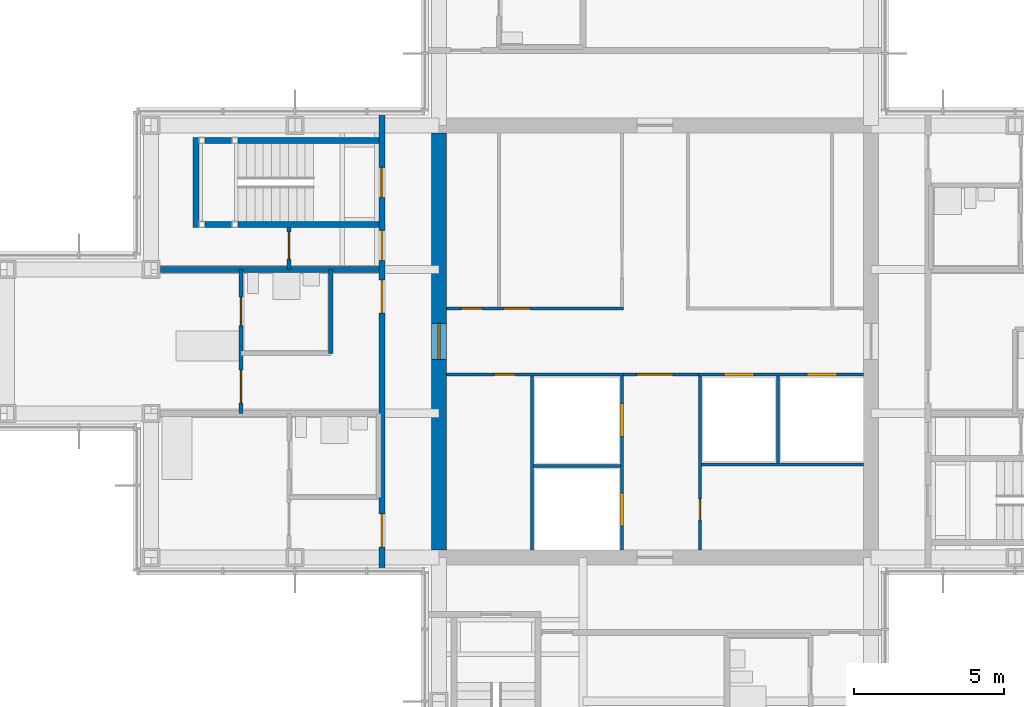
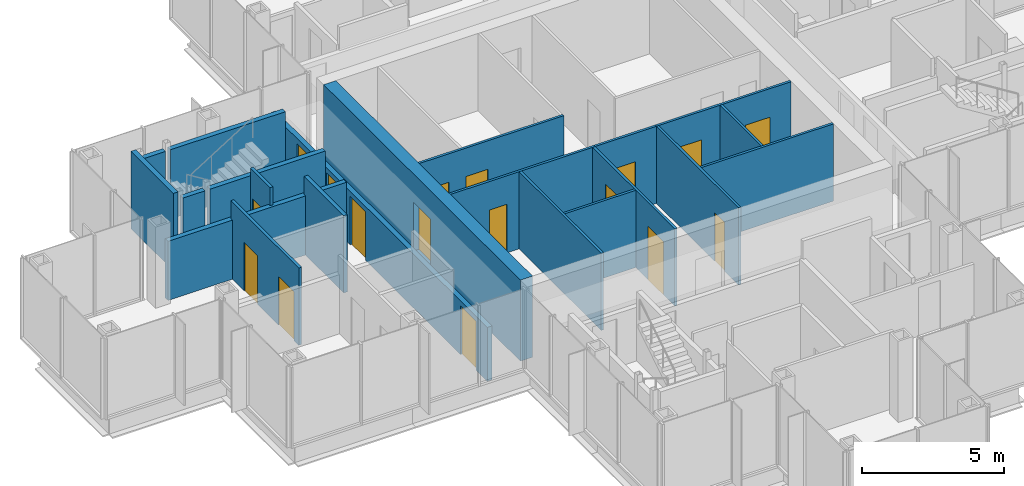
# One storey, part 12 of 17: 21 walls, 17 doors, 17 openings.
"""IFC4 building model written with IfcOpenShell, lengths in metres."""

from ifc_helpers import new_model, si_unit, direction, frame, frame_2d, origin, place, context, subcontext, project, spatial, rectangle, extrude, material, layer, layer_set, type_object, element, fill, save


model = new_model("IFC4")

# Units and contexts
model_context = context("Model", 3, precision=1e-05, world=origin(), true_north=direction((0.0, 1.0)))
body_context = subcontext(model_context, "Body", "Model", "MODEL_VIEW")
ifc_project = project(units=[si_unit("LENGTHUNIT", "METRE"), si_unit("AREAUNIT", "SQUARE_METRE"), si_unit("VOLUMEUNIT", "CUBIC_METRE"), si_unit("PLANEANGLEUNIT", "RADIAN"), si_unit("MASSUNIT", "GRAM", prefix="KILO")], contexts=[model_context])

# Site, building, storey
site_placement = place(None, origin())
site = spatial("IfcSite", under=ifc_project, at=site_placement, CompositionType="ELEMENT")
building_placement = place(site_placement, origin())
building = spatial("IfcBuilding", under=site, at=building_placement, Name="Kvirike Care Tower", CompositionType="ELEMENT")
storey_placement = place(building_placement, frame((0.0, 0.0, 172.5)))
storey = spatial("IfcBuildingStorey", under=building, at=storey_placement, Name="L47", CompositionType="ELEMENT", Elevation=172.5)

# Wall
ifc_material_1 = material(Name="Moisture-resistant board partition", Category="gypsum")
ifc_layer_1 = layer(ifc_material_1, 0.14990234375)
ifc_layer_set_1 = layer_set([ifc_layer_1], Name="BATHROOM WALL 150")
wall_type_1 = type_object("IfcWallType", Name="BATHROOM WALL 150", PredefinedType="PARTITIONING", material=ifc_layer_set_1)
wall_1_placement = place(storey_placement, frame((10.800048828125, 38.39990234375, 0.0), z_axis=(0.0, 0.0, 1.0), x_axis=(0.0, -1.0, 0.0)))
element("IfcWall", 1, at=wall_1_placement, inside=storey, type_object=wall_type_1, Name="Bathroom Wall 150 L47", PredefinedType="PARTITIONING", context=body_context, shape_type="SweptSolid", body=[
    extrude(rectangle(XDim=2.7998046875, YDim=0.14990234375, at=frame_2d((1.39990234375, 0.0))), origin(), (0.0, 0.0, 1.0), 3.330078125),
])

# Wall, opening, door
ifc_material_2 = material(Name="Concrete C45/55", Category="concrete")
ifc_layer_2 = layer(ifc_material_2, 0.5)
ifc_layer_set_2 = layer_set([ifc_layer_2], Name="CORE WALL 500 C45-55")
wall_type_2 = type_object("IfcWallType", Name="CORE WALL 500 C45-55", PredefinedType="SHEAR", material=ifc_layer_set_2)
wall_2_placement = place(storey_placement, frame((14.39990234375, 42.949951171875, -0.169921875), z_axis=(0.0, 0.0, 1.0), x_axis=(0.0, -1.0, 0.0)))
wall_2 = element("IfcWall", 2, at=wall_2_placement, inside=storey, type_object=wall_type_2, Name="Core wall W L47", PredefinedType="SHEAR", context=body_context, shape_type="SweptSolid", body=[
    extrude(rectangle(XDim=13.89990234375, YDim=0.5, at=frame_2d((6.949951171875, 0.0))), origin(), (0.0, 0.0, 1.0), 3.5),
])
opening_1_placement = place(wall_2_placement, frame((6.35009765625, 0.0, 0.169921875)))
opening_1 = element("IfcOpeningElement", 3, at=opening_1_placement, cuts=wall_2, Name="Opening 47-046", PredefinedType="OPENING", context=body_context, shape_type="SweptSolid", body=[
    extrude(rectangle(XDim=1.199951171875, YDim=2.10009765625, at=frame_2d((0.60009765625, 1.050048828125))), frame((0.0, 0.260498046875, 0.0), z_axis=(0.0, -1.0, 0.0), x_axis=(1.0, 0.0, 0.0)), (0.0, 0.0, 1.0), 0.52099609375),
])
ifc_material_3 = material(Name="Timber door set", Category="wood")
door_type_1 = type_object("IfcDoorType", Name="CORE DOOR 1200", OperationType="SINGLE_SWING_LEFT", PredefinedType="DOOR", material=ifc_material_3)
door_1_placement = place(opening_1_placement, origin())
door_1 = element("IfcDoor", 4, at=door_1_placement, inside=storey, type_object=door_type_1, Name="Core door W L47", OperationType="SINGLE_SWING_LEFT", OverallHeight=2.10009765625, OverallWidth=1.199951171875, PredefinedType="DOOR", context=body_context, shape_type="SweptSolid", body=[
    extrude(rectangle(XDim=1.199951171875, YDim=2.10009765625, at=frame_2d((0.60009765625, 1.050048828125))), frame((0.0, 0.02685546875, 0.0), z_axis=(0.0, -1.0, 0.0), x_axis=(1.0, 0.0, 0.0)), (0.0, 0.0, 1.0), 0.053955078125),
])
fill(opening_1, door_1)

# Wall, openings, doors
ifc_material_4 = material(Name="Plasterboard corridor wall", Category="gypsum")
ifc_layer_3 = layer(ifc_material_4, 0.199951171875)
ifc_layer_set_3 = layer_set([ifc_layer_3], Name="CORRIDOR WALL 200")
wall_type_3 = type_object("IfcWallType", Name="CORRIDOR WALL 200", PredefinedType="PARTITIONING", material=ifc_layer_set_3)
wall_3_placement = place(storey_placement, frame((12.5, 43.64990234375, 0.0), z_axis=(0.0, 0.0, 1.0), x_axis=(0.0, -1.0, 0.0)))
wall_3 = element("IfcWall", 5, at=wall_3_placement, inside=storey, type_object=wall_type_3, Name="Corridor Wall 200 L47", PredefinedType="PARTITIONING", context=body_context, shape_type="SweptSolid", body=[
    extrude(rectangle(XDim=15.2998046875, YDim=0.199951171875, at=frame_2d((7.64990234375, 0.0))), origin(), (0.0, 0.0, 1.0), 2.320068359375),
])
opening_2_placement = place(wall_3_placement, frame((1.85009765625, 0.0, 0.0)))
opening_2 = element("IfcOpeningElement", 6, at=opening_2_placement, cuts=wall_3, Name="Opening 47-006", PredefinedType="OPENING", context=body_context, shape_type="SweptSolid", body=[
    extrude(rectangle(XDim=1.0, YDim=2.10009765625, at=frame_2d((0.5, 1.050048828125))), frame((0.0, 0.110595703125, 0.0), z_axis=(0.0, -1.0, 0.0), x_axis=(1.0, 0.0, 0.0)), (0.0, 0.0, 1.0), 0.220947265625),
])
opening_3_placement = place(wall_3_placement, frame((3.949951171875, 0.0, 0.0)))
opening_3 = element("IfcOpeningElement", 7, at=opening_3_placement, cuts=wall_3, Name="Opening 47-007", PredefinedType="OPENING", context=body_context, shape_type="SweptSolid", body=[
    extrude(rectangle(XDim=1.0, YDim=2.10009765625, at=frame_2d((0.5, 1.050048828125))), frame((0.0, 0.110595703125, 0.0), z_axis=(0.0, -1.0, 0.0), x_axis=(1.0, 0.0, 0.0)), (0.0, 0.0, 1.0), 0.220947265625),
])
opening_4_placement = place(wall_3_placement, frame((5.60009765625, 0.0, 0.0)))
opening_4 = element("IfcOpeningElement", 8, at=opening_4_placement, cuts=wall_3, Name="Opening 47-008", PredefinedType="OPENING", context=body_context, shape_type="SweptSolid", body=[
    extrude(rectangle(XDim=1.10009765625, YDim=2.10009765625, at=frame_2d((0.550048828125, 1.050048828125))), frame((0.0, 0.110595703125, 0.0), z_axis=(0.0, -1.0, 0.0), x_axis=(1.0, 0.0, 0.0)), (0.0, 0.0, 1.0), 0.220947265625),
])
opening_5_placement = place(wall_3_placement, frame((13.39990234375, 0.0, 0.0)))
opening_5 = element("IfcOpeningElement", 9, at=opening_5_placement, cuts=wall_3, Name="Opening 47-009", PredefinedType="OPENING", context=body_context, shape_type="SweptSolid", body=[
    extrude(rectangle(XDim=1.10009765625, YDim=2.10009765625, at=frame_2d((0.550048828125, 1.050048828125))), frame((0.0, 0.110595703125, 0.0), z_axis=(0.0, -1.0, 0.0), x_axis=(1.0, 0.0, 0.0)), (0.0, 0.0, 1.0), 0.220947265625),
])
ifc_material_5 = material(Name="Timber door set", Category="wood")
door_type_2 = type_object("IfcDoorType", Name="BEDROOM ENTRANCE DOOR 1100", OperationType="SINGLE_SWING_LEFT", PredefinedType="DOOR", material=ifc_material_5)
door_2_placement = place(opening_4_placement, frame((1.10009765625, 0.0, 0.0), z_axis=(0.0, 0.0, 1.0), x_axis=(-1.0, 0.0, 0.0)))
door_2 = element("IfcDoor", 10, at=door_2_placement, inside=storey, type_object=door_type_2, Name="Memory care bedroom entrance", OperationType="SINGLE_SWING_LEFT", OverallHeight=2.10009765625, OverallWidth=1.10009765625, PredefinedType="DOOR", context=body_context, shape_type="SweptSolid", body=[
    extrude(rectangle(XDim=1.10009765625, YDim=2.10009765625, at=frame_2d((0.550048828125, 1.050048828125))), frame((0.0, 0.02685546875, 0.0), z_axis=(0.0, -1.0, 0.0), x_axis=(1.0, 0.0, 0.0)), (0.0, 0.0, 1.0), 0.053955078125),
])
fill(opening_4, door_2)
door_3_placement = place(opening_5_placement, frame((1.10009765625, 0.0, 0.0), z_axis=(0.0, 0.0, 1.0), x_axis=(-1.0, 0.0, 0.0)))
door_3 = element("IfcDoor", 11, at=door_3_placement, inside=storey, type_object=door_type_2, Name="Memory care bedroom entrance", OperationType="SINGLE_SWING_RIGHT", OverallHeight=2.10009765625, OverallWidth=1.10009765625, PredefinedType="DOOR", context=body_context, shape_type="SweptSolid", body=[
    extrude(rectangle(XDim=1.10009765625, YDim=2.10009765625, at=frame_2d((0.550048828125, 1.050048828125))), frame((0.0, 0.02685546875, 0.0), z_axis=(0.0, -1.0, 0.0), x_axis=(1.0, 0.0, 0.0)), (0.0, 0.0, 1.0), 0.053955078125),
])
fill(opening_5, door_3)
ifc_material_6 = material(Name="Timber door set", Category="wood")
door_type_3 = type_object("IfcDoorType", Name="FLAT ENTRANCE DOOR 1000", OperationType="SINGLE_SWING_LEFT", PredefinedType="DOOR", material=ifc_material_6)
door_4_placement = place(opening_3_placement, frame((1.0, 0.0, 0.0), z_axis=(0.0, 0.0, 1.0), x_axis=(-1.0, 0.0, 0.0)))
door_4 = element("IfcDoor", 12, at=door_4_placement, inside=storey, type_object=door_type_3, Name="Activity room entrance", OperationType="SINGLE_SWING_LEFT", OverallHeight=2.10009765625, OverallWidth=1.0, PredefinedType="DOOR", context=body_context, shape_type="SweptSolid", body=[
    extrude(rectangle(XDim=1.0, YDim=2.10009765625, at=frame_2d((0.5, 1.050048828125))), frame((0.0, 0.02685546875, 0.0), z_axis=(0.0, -1.0, 0.0), x_axis=(1.0, 0.0, 0.0)), (0.0, 0.0, 1.0), 0.053955078125),
])
fill(opening_3, door_4)
ifc_material_7 = material(Name="Timber door set", Category="wood")
door_type_4 = type_object("IfcDoorType", Name="STAIR DOOR 1000", OperationType="SINGLE_SWING_LEFT", PredefinedType="DOOR", material=ifc_material_7)
door_5_placement = place(opening_2_placement, frame((1.0, 0.0, 0.0), z_axis=(0.0, 0.0, 1.0), x_axis=(-1.0, 0.0, 0.0)))
door_5 = element("IfcDoor", 13, at=door_5_placement, inside=storey, type_object=door_type_4, Name="Stair 1 door", OperationType="SINGLE_SWING_LEFT", OverallHeight=2.10009765625, OverallWidth=1.0, PredefinedType="DOOR", context=body_context, shape_type="SweptSolid", body=[
    extrude(rectangle(XDim=1.0, YDim=2.10009765625, at=frame_2d((0.5, 1.050048828125))), frame((0.0, 0.031982421875, 0.0), z_axis=(0.0, -1.0, 0.0), x_axis=(1.0, 0.0, 0.0)), (0.0, 0.0, 1.0), 0.06396484375),
])
fill(opening_2, door_5)

# Wall, opening, door
ifc_material_8 = material(Name="Plasterboard partition", Category="gypsum")
ifc_layer_4 = layer(ifc_material_8, 0.1201171875)
ifc_layer_set_4 = layer_set([ifc_layer_4], Name="PARTITION 120")
wall_type_4 = type_object("IfcWallType", Name="PARTITION 120", PredefinedType="PARTITIONING", material=ifc_layer_set_4)
wall_4_placement = place(storey_placement, frame((9.39990234375, 39.800048828125, 0.0), z_axis=(0.0, 0.0, 1.0), x_axis=(0.0, -1.0, 0.0)))
wall_4 = element("IfcWall", 14, at=wall_4_placement, inside=storey, type_object=wall_type_4, Name="Partition 120 L47", PredefinedType="PARTITIONING", context=body_context, shape_type="SweptSolid", body=[
    extrude(rectangle(XDim=1.400146484375, YDim=0.1201171875, at=frame_2d((0.7001953125, 0.0))), origin(), (0.0, 0.0, 1.0), 3.330078125),
])
opening_6_placement = place(wall_4_placement, frame((0.14990234375, 0.0, 0.0)))
opening_6 = element("IfcOpeningElement", 15, at=opening_6_placement, cuts=wall_4, Name="Opening 47-001", PredefinedType="OPENING", context=body_context, shape_type="SweptSolid", body=[
    extrude(rectangle(XDim=0.89990234375, YDim=2.10009765625, at=frame_2d((0.449951171875, 1.050048828125))), frame((0.0, 0.070556640625, 0.0), z_axis=(0.0, -1.0, 0.0), x_axis=(1.0, 0.0, 0.0)), (0.0, 0.0, 1.0), 0.14111328125),
])
ifc_material_9 = material(Name="Timber door set", Category="wood")
door_type_5 = type_object("IfcDoorType", Name="INTERNAL DOOR 900", OperationType="SINGLE_SWING_LEFT", PredefinedType="DOOR", material=ifc_material_9)
door_6_placement = place(opening_6_placement, origin())
door_6 = element("IfcDoor", 16, at=door_6_placement, inside=storey, type_object=door_type_5, Name="Activity room door", OperationType="SINGLE_SWING_RIGHT", OverallHeight=2.10009765625, OverallWidth=0.89990234375, PredefinedType="DOOR", context=body_context, shape_type="SweptSolid", body=[
    extrude(rectangle(XDim=0.89990234375, YDim=2.10009765625, at=frame_2d((0.449951171875, 1.050048828125))), frame((0.0, 0.02197265625, 0.0), z_axis=(0.0, -1.0, 0.0), x_axis=(1.0, 0.0, 0.0)), (0.0, 0.0, 1.0), 0.0439453125),
])
fill(opening_6, door_6)

# Wall, openings, doors
wall_5_placement = place(storey_placement, frame((7.800048828125, 38.39990234375, 0.0), z_axis=(0.0, 0.0, 1.0), x_axis=(0.0, -1.0, 0.0)))
wall_5 = element("IfcWall", 17, at=wall_5_placement, inside=storey, type_object=wall_type_4, Name="Partition 120 L47", PredefinedType="PARTITIONING", context=body_context, shape_type="SweptSolid", body=[
    extrude(rectangle(XDim=4.7998046875, YDim=0.1201171875, at=frame_2d((2.39990234375, 0.0))), origin(), (0.0, 0.0, 1.0), 3.330078125),
])
opening_7_placement = place(wall_5_placement, frame((3.35009765625, 0.0, 0.0)))
opening_7 = element("IfcOpeningElement", 18, at=opening_7_placement, cuts=wall_5, Name="Opening 47-002", PredefinedType="OPENING", context=body_context, shape_type="SweptSolid", body=[
    extrude(rectangle(XDim=1.10009765625, YDim=2.10009765625, at=frame_2d((0.550048828125, 1.050048828125))), frame((0.0, 0.070556640625, 0.0), z_axis=(0.0, -1.0, 0.0), x_axis=(1.0, 0.0, 0.0)), (0.0, 0.0, 1.0), 0.14111328125),
])
opening_8_placement = place(wall_5_placement, frame((0.925048828125, 0.0, 0.0)))
opening_8 = element("IfcOpeningElement", 19, at=opening_8_placement, cuts=wall_5, Name="Opening 47-003", PredefinedType="OPENING", context=body_context, shape_type="SweptSolid", body=[
    extrude(rectangle(XDim=0.949951171875, YDim=2.10009765625, at=frame_2d((0.47509765625, 1.050048828125))), frame((0.0, 0.070556640625, 0.0), z_axis=(0.0, -1.0, 0.0), x_axis=(1.0, 0.0, 0.0)), (0.0, 0.0, 1.0), 0.14111328125),
])
ifc_material_10 = material(Name="Timber door set", Category="wood")
door_type_6 = type_object("IfcDoorType", Name="BEDROOM DOOR 1100", OperationType="SINGLE_SWING_LEFT", PredefinedType="DOOR", material=ifc_material_10)
door_7_placement = place(opening_7_placement, origin())
door_7 = element("IfcDoor", 20, at=door_7_placement, inside=storey, type_object=door_type_6, Name="Memory care bedroom door", OperationType="SINGLE_SWING_LEFT", OverallHeight=2.10009765625, OverallWidth=1.10009765625, PredefinedType="DOOR", context=body_context, shape_type="SweptSolid", body=[
    extrude(rectangle(XDim=1.10009765625, YDim=2.10009765625, at=frame_2d((0.550048828125, 1.050048828125))), frame((0.0, 0.02197265625, 0.0), z_axis=(0.0, -1.0, 0.0), x_axis=(1.0, 0.0, 0.0)), (0.0, 0.0, 1.0), 0.0439453125),
])
fill(opening_7, door_7)
ifc_material_11 = material(Name="Timber door set", Category="wood")
door_type_7 = type_object("IfcDoorType", Name="EN-SUITE SLIDING DOOR 950", OperationType="SLIDING_TO_LEFT", PredefinedType="DOOR", material=ifc_material_11)
door_8_placement = place(opening_8_placement, origin())
door_8 = element("IfcDoor", 21, at=door_8_placement, inside=storey, type_object=door_type_7, Name="En-suite door", OperationType="SLIDING_TO_LEFT", OverallHeight=2.10009765625, OverallWidth=0.949951171875, PredefinedType="DOOR", context=body_context, shape_type="SweptSolid", body=[
    extrude(rectangle(XDim=0.949951171875, YDim=2.10009765625, at=frame_2d((0.47509765625, 1.050048828125))), frame((0.0, 0.02197265625, 0.0), z_axis=(0.0, -1.0, 0.0), x_axis=(1.0, 0.0, 0.0)), (0.0, 0.0, 1.0), 0.0439453125),
])
fill(opening_8, door_8)

# Wall
ifc_material_12 = material(Name="Plasterboard party wall", Category="gypsum")
ifc_layer_5 = layer(ifc_material_12, 0.199951171875)
ifc_layer_set_5 = layer_set([ifc_layer_5], Name="PARTY WALL 200")
wall_type_5 = type_object("IfcWallType", Name="PARTY WALL 200", PredefinedType="PARTITIONING", material=ifc_layer_set_5)
wall_6_placement = place(storey_placement, frame((5.1201171875, 38.39990234375, 0.0), z_axis=(0.0, 0.0, 1.0), x_axis=(1.0, 0.0, 0.0)))
element("IfcWall", 22, at=wall_6_placement, inside=storey, type_object=wall_type_5, Name="Party Wall 200 L47", PredefinedType="PARTITIONING", context=body_context, shape_type="SweptSolid", body=[
    extrude(rectangle(XDim=7.27978515625, YDim=0.199951171875, at=frame_2d((3.639892578125, 0.0))), origin(), (0.0, 0.0, 1.0), 2.550048828125),
])

# Wall, openings, doors
ifc_material_13 = material(Name="Gypsum shaft wall system", Category="gypsum")
ifc_layer_6 = layer(ifc_material_13, 0.10009765625)
ifc_layer_set_6 = layer_set([ifc_layer_6], Name="SHAFT WALL 100")
wall_type_6 = type_object("IfcWallType", Name="SHAFT WALL 100", PredefinedType="SOLIDWALL", material=ifc_layer_set_6)
wall_7_placement = place(storey_placement, frame((20.5, 29.050048828125, 0.0), z_axis=(0.0, 0.0, 1.0), x_axis=(0.0, 1.0, 0.0)))
wall_7 = element("IfcWall", 23, at=wall_7_placement, inside=storey, type_object=wall_type_6, Name="Shaft Wall 100 L47", PredefinedType="SOLIDWALL", context=body_context, shape_type="SweptSolid", body=[
    extrude(rectangle(XDim=5.800048828125, YDim=0.10009765625, at=frame_2d((2.89990234375, 0.0))), origin(), (0.0, 0.0, 1.0), 3.330078125),
])
opening_9_placement = place(wall_7_placement, frame((0.800048828125, 0.0, 0.0)))
opening_9 = element("IfcOpeningElement", 24, at=opening_9_placement, cuts=wall_7, Name="Opening 47-032", PredefinedType="OPENING", context=body_context, shape_type="SweptSolid", body=[
    extrude(rectangle(XDim=1.10009765625, YDim=2.300048828125, at=frame_2d((0.550048828125, 1.14990234375))), frame((0.0, 0.060546875, 0.0), z_axis=(0.0, -1.0, 0.0), x_axis=(1.0, 0.0, 0.0)), (0.0, 0.0, 1.0), 0.12109375),
])
opening_10_placement = place(wall_7_placement, frame((3.77490234375, 0.0, 0.0)))
opening_10 = element("IfcOpeningElement", 25, at=opening_10_placement, cuts=wall_7, Name="Opening 47-033", PredefinedType="OPENING", context=body_context, shape_type="SweptSolid", body=[
    extrude(rectangle(XDim=1.10009765625, YDim=2.300048828125, at=frame_2d((0.550048828125, 1.14990234375))), frame((0.0, 0.060546875, 0.0), z_axis=(0.0, -1.0, 0.0), x_axis=(1.0, 0.0, 0.0)), (0.0, 0.0, 1.0), 0.12109375),
])
ifc_material_14 = material(Name="Aluminium door frame", Category="aluminium")
door_type_8 = type_object("IfcDoorType", Name="FIRE-FIGHTING LIFT LANDING DOOR 1100", OperationType="SLIDING_TO_LEFT", PredefinedType="DOOR", material=ifc_material_14)
door_9_placement = place(opening_9_placement, origin())
door_9 = element("IfcDoor", 26, at=door_9_placement, inside=storey, type_object=door_type_8, Name="Lift FF1 landing door", OperationType="SLIDING_TO_LEFT", OverallHeight=2.300048828125, OverallWidth=1.10009765625, PredefinedType="DOOR", context=body_context, shape_type="SweptSolid", body=[
    extrude(rectangle(XDim=1.10009765625, YDim=2.300048828125, at=frame_2d((0.550048828125, 1.14990234375))), frame((0.0, 0.0498046875, 0.0), z_axis=(0.0, -1.0, 0.0), x_axis=(1.0, 0.0, 0.0)), (0.0, 0.0, 1.0), 0.099609375),
])
fill(opening_9, door_9)
door_10_placement = place(opening_10_placement, origin())
door_10 = element("IfcDoor", 27, at=door_10_placement, inside=storey, type_object=door_type_8, Name="Lift FF2 landing door", OperationType="SLIDING_TO_LEFT", OverallHeight=2.300048828125, OverallWidth=1.10009765625, PredefinedType="DOOR", context=body_context, shape_type="SweptSolid", body=[
    extrude(rectangle(XDim=1.10009765625, YDim=2.300048828125, at=frame_2d((0.550048828125, 1.14990234375))), frame((0.0, 0.0498046875, 0.0), z_axis=(0.0, -1.0, 0.0), x_axis=(1.0, 0.0, 0.0)), (0.0, 0.0, 1.0), 0.099609375),
])
fill(opening_10, door_10)

# Wall, opening, door
wall_8_placement = place(storey_placement, frame((23.10009765625, 29.050048828125, 0.0), z_axis=(0.0, 0.0, 1.0), x_axis=(0.0, 1.0, 0.0)))
wall_8 = element("IfcWall", 28, at=wall_8_placement, inside=storey, type_object=wall_type_6, Name="Shaft Wall 100 L47", PredefinedType="SOLIDWALL", context=body_context, shape_type="SweptSolid", body=[
    extrude(rectangle(XDim=5.800048828125, YDim=0.10009765625, at=frame_2d((2.89990234375, 0.0))), origin(), (0.0, 0.0, 1.0), 3.330078125),
])
opening_11_placement = place(wall_8_placement, frame((1.0, 0.0, 0.0)))
opening_11 = element("IfcOpeningElement", 29, at=opening_11_placement, cuts=wall_8, Name="Opening 47-036", PredefinedType="OPENING", context=body_context, shape_type="SweptSolid", body=[
    extrude(rectangle(XDim=0.699951171875, YDim=2.10009765625, at=frame_2d((0.35009765625, 1.050048828125))), frame((0.0, 0.060546875, 0.0), z_axis=(0.0, -1.0, 0.0), x_axis=(1.0, 0.0, 0.0)), (0.0, 0.0, 1.0), 0.12109375),
])
ifc_material_15 = material(Name="Timber door set", Category="wood")
door_type_9 = type_object("IfcDoorType", Name="RISER DOOR 700", OperationType="SINGLE_SWING_LEFT", PredefinedType="DOOR", material=ifc_material_15)
door_11_placement = place(opening_11_placement, origin())
door_11 = element("IfcDoor", 30, at=door_11_placement, inside=storey, type_object=door_type_9, Name="Riser door", OperationType="SINGLE_SWING_RIGHT", OverallHeight=2.10009765625, OverallWidth=0.699951171875, PredefinedType="DOOR", context=body_context, shape_type="SweptSolid", body=[
    extrude(rectangle(XDim=0.699951171875, YDim=2.10009765625, at=frame_2d((0.35009765625, 1.050048828125))), frame((0.0, 0.02685546875, 0.0), z_axis=(0.0, -1.0, 0.0), x_axis=(1.0, 0.0, 0.0)), (0.0, 0.0, 1.0), 0.053955078125),
])
fill(opening_11, door_11)

wall_9_placement = place(storey_placement, frame((14.64990234375, 34.89990234375, 0.0), z_axis=(0.0, 0.0, 1.0), x_axis=(1.0, 0.0, 0.0)))
wall_9 = element("IfcWall", 31, at=wall_9_placement, inside=storey, type_object=wall_type_6, Name="Shaft Wall 100 L47", PredefinedType="SOLIDWALL", context=body_context, shape_type="SweptSolid", body=[
    extrude(rectangle(XDim=5.900146484375, YDim=0.10009765625, at=frame_2d((2.9501953125, 0.0))), origin(), (0.0, 0.0, 1.0), 3.330078125),
])
opening_12_placement = place(wall_9_placement, frame((1.60009765625, 0.0, 0.0)))
opening_12 = element("IfcOpeningElement", 32, at=opening_12_placement, cuts=wall_9, Name="Opening 47-037", PredefinedType="OPENING", context=body_context, shape_type="SweptSolid", body=[
    extrude(rectangle(XDim=0.699951171875, YDim=2.10009765625, at=frame_2d((0.35009765625, 1.050048828125))), frame((0.0, 0.060546875, 0.0), z_axis=(0.0, -1.0, 0.0), x_axis=(1.0, 0.0, 0.0)), (0.0, 0.0, 1.0), 0.12109375),
])
door_12_placement = place(opening_12_placement, frame((0.699951171875, 0.0, 0.0), z_axis=(0.0, 0.0, 1.0), x_axis=(-1.0, 0.0, 0.0)))
door_12 = element("IfcDoor", 33, at=door_12_placement, inside=storey, type_object=door_type_9, Name="Riser door", OperationType="SINGLE_SWING_RIGHT", OverallHeight=2.10009765625, OverallWidth=0.699951171875, PredefinedType="DOOR", context=body_context, shape_type="SweptSolid", body=[
    extrude(rectangle(XDim=0.699951171875, YDim=2.10009765625, at=frame_2d((0.35009765625, 1.050048828125))), frame((0.0, 0.02685546875, 0.0), z_axis=(0.0, -1.0, 0.0), x_axis=(1.0, 0.0, 0.0)), (0.0, 0.0, 1.0), 0.053955078125),
])
fill(opening_12, door_12)

# Wall, openings, doors
wall_10_placement = place(storey_placement, frame((23.050048828125, 34.89990234375, 0.0), z_axis=(0.0, 0.0, 1.0), x_axis=(1.0, 0.0, 0.0)))
wall_10 = element("IfcWall", 34, at=wall_10_placement, inside=storey, type_object=wall_type_6, Name="Shaft Wall 100 L47", PredefinedType="SOLIDWALL", context=body_context, shape_type="SweptSolid", body=[
    extrude(rectangle(XDim=5.5, YDim=0.10009765625, at=frame_2d((2.75, 0.0))), origin(), (0.0, 0.0, 1.0), 3.330078125),
])
opening_13_placement = place(wall_10_placement, frame((0.85009765625, 0.0, 0.0)))
opening_13 = element("IfcOpeningElement", 35, at=opening_13_placement, cuts=wall_10, Name="Opening 47-038", PredefinedType="OPENING", context=body_context, shape_type="SweptSolid", body=[
    extrude(rectangle(XDim=1.0, YDim=2.10009765625, at=frame_2d((0.5, 1.050048828125))), frame((0.0, 0.060546875, 0.0), z_axis=(0.0, -1.0, 0.0), x_axis=(1.0, 0.0, 0.0)), (0.0, 0.0, 1.0), 0.12109375),
])
opening_14_placement = place(wall_10_placement, frame((3.625, 0.0, 0.0)))
opening_14 = element("IfcOpeningElement", 36, at=opening_14_placement, cuts=wall_10, Name="Opening 47-039", PredefinedType="OPENING", context=body_context, shape_type="SweptSolid", body=[
    extrude(rectangle(XDim=1.0, YDim=2.10009765625, at=frame_2d((0.5, 1.050048828125))), frame((0.0, 0.060546875, 0.0), z_axis=(0.0, -1.0, 0.0), x_axis=(1.0, 0.0, 0.0)), (0.0, 0.0, 1.0), 0.12109375),
])
ifc_material_16 = material(Name="Aluminium door frame", Category="aluminium")
door_type_10 = type_object("IfcDoorType", Name="LIFT LANDING DOOR 1000", OperationType="SLIDING_TO_LEFT", PredefinedType="DOOR", material=ifc_material_16)
door_13_placement = place(opening_13_placement, origin())
door_13 = element("IfcDoor", 37, at=door_13_placement, inside=storey, type_object=door_type_10, Name="Lift P5 landing door", OperationType="SLIDING_TO_LEFT", OverallHeight=2.10009765625, OverallWidth=1.0, PredefinedType="DOOR", context=body_context, shape_type="SweptSolid", body=[
    extrude(rectangle(XDim=1.0, YDim=2.10009765625, at=frame_2d((0.5, 1.050048828125))), frame((0.0, 0.0498046875, 0.0), z_axis=(0.0, -1.0, 0.0), x_axis=(1.0, 0.0, 0.0)), (0.0, 0.0, 1.0), 0.099609375),
])
fill(opening_13, door_13)
door_14_placement = place(opening_14_placement, origin())
door_14 = element("IfcDoor", 38, at=door_14_placement, inside=storey, type_object=door_type_10, Name="Lift P6 landing door", OperationType="SLIDING_TO_LEFT", OverallHeight=2.10009765625, OverallWidth=1.0, PredefinedType="DOOR", context=body_context, shape_type="SweptSolid", body=[
    extrude(rectangle(XDim=1.0, YDim=2.10009765625, at=frame_2d((0.5, 1.050048828125))), frame((0.0, 0.0498046875, 0.0), z_axis=(0.0, -1.0, 0.0), x_axis=(1.0, 0.0, 0.0)), (0.0, 0.0, 1.0), 0.099609375),
])
fill(opening_14, door_14)

wall_11_placement = place(storey_placement, frame((14.64990234375, 37.10009765625, 0.0), z_axis=(0.0, 0.0, 1.0), x_axis=(1.0, 0.0, 0.0)))
wall_11 = element("IfcWall", 39, at=wall_11_placement, inside=storey, type_object=wall_type_6, Name="Shaft Wall 100 L47", PredefinedType="SOLIDWALL", context=body_context, shape_type="SweptSolid", body=[
    extrude(rectangle(XDim=5.900146484375, YDim=0.10009765625, at=frame_2d((2.9501953125, 0.0))), origin(), (0.0, 0.0, 1.0), 3.330078125),
])
opening_15_placement = place(wall_11_placement, frame((0.5, 0.0, 0.0)))
opening_15 = element("IfcOpeningElement", 40, at=opening_15_placement, cuts=wall_11, Name="Opening 47-040", PredefinedType="OPENING", context=body_context, shape_type="SweptSolid", body=[
    extrude(rectangle(XDim=0.699951171875, YDim=2.10009765625, at=frame_2d((0.35009765625, 1.050048828125))), frame((0.0, 0.060546875, 0.0), z_axis=(0.0, -1.0, 0.0), x_axis=(1.0, 0.0, 0.0)), (0.0, 0.0, 1.0), 0.12109375),
])
opening_16_placement = place(wall_11_placement, frame((1.89990234375, 0.0, 0.0)))
opening_16 = element("IfcOpeningElement", 41, at=opening_16_placement, cuts=wall_11, Name="Opening 47-041", PredefinedType="OPENING", context=body_context, shape_type="SweptSolid", body=[
    extrude(rectangle(XDim=0.89990234375, YDim=2.10009765625, at=frame_2d((0.449951171875, 1.050048828125))), frame((0.0, 0.060546875, 0.0), z_axis=(0.0, -1.0, 0.0), x_axis=(1.0, 0.0, 0.0)), (0.0, 0.0, 1.0), 0.12109375),
])
door_15_placement = place(opening_15_placement, origin())
door_15 = element("IfcDoor", 42, at=door_15_placement, inside=storey, type_object=door_type_9, Name="Riser door", OperationType="SINGLE_SWING_RIGHT", OverallHeight=2.10009765625, OverallWidth=0.699951171875, PredefinedType="DOOR", context=body_context, shape_type="SweptSolid", body=[
    extrude(rectangle(XDim=0.699951171875, YDim=2.10009765625, at=frame_2d((0.35009765625, 1.050048828125))), frame((0.0, 0.02685546875, 0.0), z_axis=(0.0, -1.0, 0.0), x_axis=(1.0, 0.0, 0.0)), (0.0, 0.0, 1.0), 0.053955078125),
])
fill(opening_15, door_15)
ifc_material_17 = material(Name="Timber door set", Category="wood")
door_type_11 = type_object("IfcDoorType", Name="STORE DOOR 900", OperationType="SINGLE_SWING_LEFT", PredefinedType="DOOR", material=ifc_material_17)
door_16_placement = place(opening_16_placement, origin())
door_16 = element("IfcDoor", 43, at=door_16_placement, inside=storey, type_object=door_type_11, Name="Housekeeping office door", OperationType="SINGLE_SWING_RIGHT", OverallHeight=2.10009765625, OverallWidth=0.89990234375, PredefinedType="DOOR", context=body_context, shape_type="SweptSolid", body=[
    extrude(rectangle(XDim=0.89990234375, YDim=2.10009765625, at=frame_2d((0.449951171875, 1.050048828125))), frame((0.0, 0.02685546875, 0.0), z_axis=(0.0, -1.0, 0.0), x_axis=(1.0, 0.0, 0.0)), (0.0, 0.0, 1.0), 0.053955078125),
])
fill(opening_16, door_16)

# Wall, opening, door
wall_12_placement = place(storey_placement, frame((20.550048828125, 34.89990234375, 0.0), z_axis=(0.0, 0.0, 1.0), x_axis=(1.0, 0.0, 0.0)))
wall_12 = element("IfcWall", 44, at=wall_12_placement, inside=storey, type_object=wall_type_6, Name="Shaft Wall 100 L47", PredefinedType="SOLIDWALL", context=body_context, shape_type="SweptSolid", body=[
    extrude(rectangle(XDim=2.5, YDim=0.10009765625, at=frame_2d((1.25, 0.0))), origin(), (0.0, 0.0, 1.0), 3.330078125),
])
opening_17_placement = place(wall_12_placement, frame((0.449951171875, 0.0, 0.0)))
opening_17 = element("IfcOpeningElement", 45, at=opening_17_placement, cuts=wall_12, Name="Opening 47-044", PredefinedType="OPENING", context=body_context, shape_type="SweptSolid", body=[
    extrude(rectangle(XDim=1.199951171875, YDim=2.10009765625, at=frame_2d((0.60009765625, 1.050048828125))), frame((0.0, 0.060546875, 0.0), z_axis=(0.0, -1.0, 0.0), x_axis=(1.0, 0.0, 0.0)), (0.0, 0.0, 1.0), 0.12109375),
])
door_17_placement = place(opening_17_placement, frame((1.199951171875, 0.0, 0.0), z_axis=(0.0, 0.0, 1.0), x_axis=(-1.0, 0.0, 0.0)))
door_17 = element("IfcDoor", 46, at=door_17_placement, inside=storey, type_object=door_type_1, Name="Fire-fighting lobby door", OperationType="SINGLE_SWING_LEFT", OverallHeight=2.10009765625, OverallWidth=1.199951171875, PredefinedType="DOOR", context=body_context, shape_type="SweptSolid", body=[
    extrude(rectangle(XDim=1.199951171875, YDim=2.10009765625, at=frame_2d((0.60009765625, 1.050048828125))), frame((0.0, 0.02685546875, 0.0), z_axis=(0.0, -1.0, 0.0), x_axis=(1.0, 0.0, 0.0)), (0.0, 0.0, 1.0), 0.053955078125),
])
fill(opening_17, door_17)

# Walls
wall_13_placement = place(storey_placement, frame((17.5, 29.050048828125, 0.0), z_axis=(0.0, 0.0, 1.0), x_axis=(0.0, 1.0, 0.0)))
element("IfcWall", 47, at=wall_13_placement, inside=storey, type_object=wall_type_6, Name="Shaft Wall 100 L47", PredefinedType="SOLIDWALL", context=body_context, shape_type="SweptSolid", body=[
    extrude(rectangle(XDim=5.800048828125, YDim=0.10009765625, at=frame_2d((2.89990234375, 0.0))), origin(), (0.0, 0.0, 1.0), 3.330078125),
])
wall_14_placement = place(storey_placement, frame((17.550048828125, 31.85009765625, 0.0), z_axis=(0.0, 0.0, 1.0), x_axis=(1.0, 0.0, 0.0)))
element("IfcWall", 48, at=wall_14_placement, inside=storey, type_object=wall_type_6, Name="Shaft Wall 100 L47", PredefinedType="SOLIDWALL", context=body_context, shape_type="SweptSolid", body=[
    extrude(rectangle(XDim=2.89990234375, YDim=0.10009765625, at=frame_2d((1.449951171875, 0.0))), origin(), (0.0, 0.0, 1.0), 3.330078125),
])
wall_15_placement = place(storey_placement, frame((25.699951171875, 31.949951171875, 0.0), z_axis=(0.0, 0.0, 1.0), x_axis=(0.0, 1.0, 0.0)))
element("IfcWall", 49, at=wall_15_placement, inside=storey, type_object=wall_type_6, Name="Shaft Wall 100 L47", PredefinedType="SOLIDWALL", context=body_context, shape_type="SweptSolid", body=[
    extrude(rectangle(XDim=2.900146484375, YDim=0.10009765625, at=frame_2d((1.4501953125, 0.0))), origin(), (0.0, 0.0, 1.0), 3.330078125),
])
wall_16_placement = place(storey_placement, frame((23.14990234375, 31.89990234375, 0.0), z_axis=(0.0, 0.0, 1.0), x_axis=(1.0, 0.0, 0.0)))
element("IfcWall", 50, at=wall_16_placement, inside=storey, type_object=wall_type_6, Name="Shaft Wall 100 L47", PredefinedType="SOLIDWALL", context=body_context, shape_type="SweptSolid", body=[
    extrude(rectangle(XDim=5.400146484375, YDim=0.10009765625, at=frame_2d((2.7001953125, 0.0))), origin(), (0.0, 0.0, 1.0), 3.330078125),
])
ifc_material_18 = material(Name="Concrete C40/50", Category="concrete")
ifc_layer_7 = layer(ifc_material_18, 0.199951171875)
ifc_layer_set_7 = layer_set([ifc_layer_7], Name="STAIR WALL 200")
wall_type_7 = type_object("IfcWallType", Name="STAIR WALL 200", PredefinedType="SOLIDWALL", material=ifc_layer_set_7)
wall_17_placement = place(storey_placement, frame((6.60009765625, 42.699951171875, 0.0), z_axis=(0.0, 0.0, 1.0), x_axis=(1.0, 0.0, 0.0)))
element("IfcWall", 51, at=wall_17_placement, inside=storey, type_object=wall_type_7, Name="Stair Wall 200 L47", PredefinedType="SOLIDWALL", context=body_context, shape_type="SweptSolid", body=[
    extrude(rectangle(XDim=0.89990234375, YDim=0.199951171875, at=frame_2d((0.449951171875, 0.0))), origin(), (0.0, 0.0, 1.0), 2.989990234375),
])
wall_18_placement = place(storey_placement, frame((7.699951171875, 42.699951171875, 0.0), z_axis=(0.0, 0.0, 1.0), x_axis=(1.0, 0.0, 0.0)))
element("IfcWall", 52, at=wall_18_placement, inside=storey, type_object=wall_type_7, Name="Stair Wall 200 L47", PredefinedType="SOLIDWALL", context=body_context, shape_type="SweptSolid", body=[
    extrude(rectangle(XDim=4.699951171875, YDim=0.199951171875, at=frame_2d((2.35009765625, 0.0))), origin(), (0.0, 0.0, 1.0), 2.989990234375),
])
wall_19_placement = place(storey_placement, frame((6.60009765625, 39.89990234375, 0.0), z_axis=(0.0, 0.0, 1.0), x_axis=(1.0, 0.0, 0.0)))
element("IfcWall", 53, at=wall_19_placement, inside=storey, type_object=wall_type_7, Name="Stair Wall 200 L47", PredefinedType="SOLIDWALL", context=body_context, shape_type="SweptSolid", body=[
    extrude(rectangle(XDim=0.89990234375, YDim=0.199951171875, at=frame_2d((0.449951171875, 0.0))), origin(), (0.0, 0.0, 1.0), 2.989990234375),
])
wall_20_placement = place(storey_placement, frame((7.699951171875, 39.89990234375, 0.0), z_axis=(0.0, 0.0, 1.0), x_axis=(1.0, 0.0, 0.0)))
element("IfcWall", 54, at=wall_20_placement, inside=storey, type_object=wall_type_7, Name="Stair Wall 200 L47", PredefinedType="SOLIDWALL", context=body_context, shape_type="SweptSolid", body=[
    extrude(rectangle(XDim=4.699951171875, YDim=0.199951171875, at=frame_2d((2.35009765625, 0.0))), origin(), (0.0, 0.0, 1.0), 2.989990234375),
])
wall_21_placement = place(storey_placement, frame((6.300048828125, 42.800048828125, 0.0), z_axis=(0.0, 0.0, 1.0), x_axis=(0.0, -1.0, 0.0)))
element("IfcWall", 55, at=wall_21_placement, inside=storey, type_object=wall_type_7, Name="Stair Wall 200 L47", PredefinedType="SOLIDWALL", context=body_context, shape_type="SweptSolid", body=[
    extrude(rectangle(XDim=3.0, YDim=0.199951171875, at=frame_2d((1.5, 0.0))), origin(), (0.0, 0.0, 1.0), 3.330078125),
])

save(model, "model.ifc")
